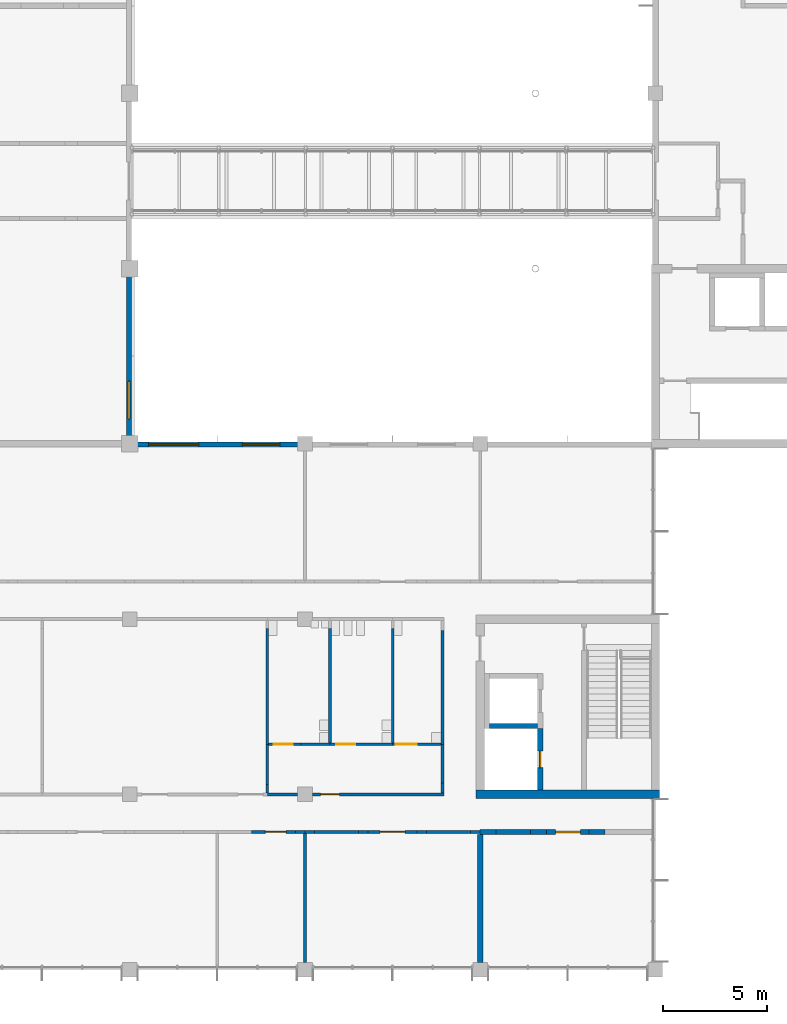
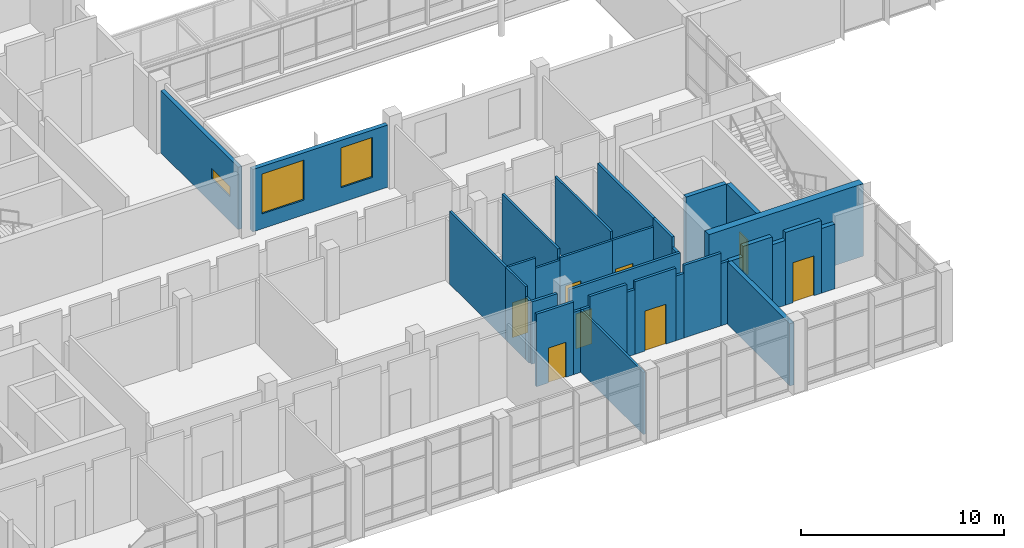
# One storey, part 33 of 70: 35 walls, 8 doors, 3 windows, 11 openings.
"""IFC4 building model written with IfcOpenShell, lengths in metres."""

import ifcopenshell
import ifcopenshell.guid

model = None  # the IFC model being written
_history = None  # IfcOwnerHistory: only IFC2X3 demands one
_inside = {}  # id of a spatial element -> (the spatial element, [elements in it])
_under = {}  # id of a project, library or spatial element -> (it, [spatial elements below it])
_declared = {}  # id of a project -> (the project, [libraries it declares])
_typed = {}  # id of a type object -> (the type object, [elements of that type])
_made_of = {}  # id of a material, layer set ... -> (it, [elements and type objects made of it])


def new_model(schema):
    """Start an empty IFC model of exactly this schema.

    Asked for "IFC4X3", IfcOpenShell would pick the latest addendum, in which some entities
    have other attributes; the version numbers below select the first issue.
    IFC2X3 requires an IfcOwnerHistory on every rooted entity: one is made here for all.
    """
    global model, _history
    if schema == "IFC4X3":
        model = ifcopenshell.file(schema_version=(4, 3, 0, 0))
    else:
        model = ifcopenshell.file(schema=schema)
    _inside.clear()
    _under.clear()
    _declared.clear()
    _typed.clear()
    _made_of.clear()
    _history = None
    if model.schema == "IFC2X3":
        org = make("IfcOrganization", Name="unknown")
        user = make(
            "IfcPersonAndOrganization",
            ThePerson=make("IfcPerson", FamilyName="unknown"),
            TheOrganization=org,
        )
        app = make(
            "IfcApplication",
            ApplicationDeveloper=org,
            Version="unknown",
            ApplicationFullName="unknown",
            ApplicationIdentifier="unknown",
        )
        _history = make(
            "IfcOwnerHistory",
            OwningUser=user,
            OwningApplication=app,
            ChangeAction="ADDED",
            CreationDate=0,
        )
    return model


def make(cls, **values):
    """One entity of the class cls with the attributes given. An attribute that is None is left unset."""
    return model.create_entity(
        cls, **{name: value for name, value in values.items() if value is not None}
    )


def rooted(cls, **values):
    """An entity with a GlobalId (a new one), such as an element, a storey or a relation."""
    return make(cls, GlobalId=ifcopenshell.guid.new(), OwnerHistory=_history, **values)


def si_unit(unit_type, name, prefix=None):
    """IfcSIUnit, for example si_unit("LENGTHUNIT", "METRE", prefix="MILLI")."""
    return make("IfcSIUnit", UnitType=unit_type, Prefix=prefix, Name=name)


def assignment(units):
    """IfcUnitAssignment: the units of a project."""
    return None if units is None else make("IfcUnitAssignment", Units=units)


def point(xyz):
    """IfcCartesianPoint."""
    return None if xyz is None else make("IfcCartesianPoint", Coordinates=xyz)


def direction(xyz):
    """IfcDirection."""
    return None if xyz is None else make("IfcDirection", DirectionRatios=xyz)


def frame(location, z_axis=None, x_axis=None):
    """IfcAxis2Placement3D, a coordinate frame: its origin and axes. An axis left out is left unset."""
    return make(
        "IfcAxis2Placement3D",
        Location=point(location),
        Axis=direction(z_axis),
        RefDirection=direction(x_axis),
    )


def frame_2d(location, x_axis=None):
    """IfcAxis2Placement2D, a coordinate frame in the plane: its origin and x axis."""
    return make(
        "IfcAxis2Placement2D", Location=point(location), RefDirection=direction(x_axis)
    )


def origin():
    """The frame at (0, 0, 0) with its axes left unset."""
    return frame((0.0, 0.0, 0.0))


def place(relative_to, where):
    """IfcLocalPlacement: puts the frame where relative to a parent placement (None: the world)."""
    return make(
        "IfcLocalPlacement", PlacementRelTo=relative_to, RelativePlacement=where
    )


def context(
    kind, dimensions, precision=None, world=None, true_north=None, identifier=None
):
    """IfcGeometricRepresentationContext, for example the 3D "Model" context."""
    return make(
        "IfcGeometricRepresentationContext",
        ContextIdentifier=identifier,
        ContextType=kind,
        CoordinateSpaceDimension=dimensions,
        Precision=precision,
        WorldCoordinateSystem=world,
        TrueNorth=true_north,
    )


def subcontext(parent, identifier, kind, view, scale=None):
    """IfcGeometricRepresentationSubContext, for example "Body" below "Model"."""
    return make(
        "IfcGeometricRepresentationSubContext",
        ContextIdentifier=identifier,
        ContextType=kind,
        ParentContext=parent,
        TargetScale=scale,
        TargetView=view,
    )


def project(units=None, contexts=None):
    """IfcProject with its units and contexts."""
    return rooted(
        "IfcProject",
        Name="project",
        RepresentationContexts=contexts,
        UnitsInContext=assignment(units),
    )


def spatial(cls, under=None, at=None, **own):
    """A site, building, storey or space (cls), placed at a placement, below another one or the project."""
    s = rooted(cls, ObjectPlacement=at, **own)
    if under is not None:
        _under.setdefault(under.id(), (under, []))[1].append(s)
    return s


def profile(cls, at=None, kind="AREA", **sizes):
    """A parametric profile (cls). Its sizes go by their IFC names, for example OverallWidth=200.0."""
    return make(cls, ProfileType=kind, Position=at, **sizes)


def rectangle(**sizes):
    """IfcRectangleProfileDef."""
    return profile("IfcRectangleProfileDef", **sizes)


def extrude(swept, where, along, depth):
    """IfcExtrudedAreaSolid: the profile swept, set in the frame where, extruded along a direction by depth."""
    return make(
        "IfcExtrudedAreaSolid",
        SweptArea=swept,
        Position=where,
        ExtrudedDirection=direction(along),
        Depth=depth,
    )


def shape(context_of_items, identifier, shape_type, items):
    """IfcShapeRepresentation: the items that make up one representation, for example the "Body"."""
    return make(
        "IfcShapeRepresentation",
        ContextOfItems=context_of_items,
        RepresentationIdentifier=identifier,
        RepresentationType=shape_type,
        Items=items,
    )


def material(Name=None, Category=None):
    """IfcMaterial."""
    return make("IfcMaterial", Name=Name, Category=Category)


def layer(
    of_material, thickness, ventilated=None, Name=None, Category=None, Priority=None
):
    """IfcMaterialLayer: one layer of a wall or slab, of a material (None: an air gap)."""
    return make(
        "IfcMaterialLayer",
        Material=of_material,
        LayerThickness=thickness,
        IsVentilated=ventilated,
        Name=Name,
        Category=Category,
        Priority=Priority,
    )


def layer_set(layers, Name=None):
    """IfcMaterialLayerSet."""
    return make("IfcMaterialLayerSet", MaterialLayers=layers, LayerSetName=Name)


def made_of(thing, what):
    """Note that an element or type object is made of a material, layer set ...; save() writes the relation."""
    if what is not None:
        _made_of.setdefault(what.id(), (what, []))[1].append(thing)
    return thing


def type_object(cls, material=None, **own):
    """A type object (cls), such as IfcWallType, which elements share."""
    return made_of(rooted(cls, **own), material)


def element(
    cls,
    number,
    at=None,
    inside=None,
    cuts=None,
    type_object=None,
    material=None,
    context=None,
    identifier="Body",
    shape_type=None,
    held_by="IfcProductDefinitionShape",
    body=None,
    shapes=None,
    **own,
):
    """One element of the class cls, such as IfcWall. Its Tag is "e" and its number.

    at: its placement. inside: the storey or other place that contains it. cuts: it is an
    opening in that element (IfcRelVoidsElement). A single representation is given by context,
    identifier, shape_type and body (its items); several are given by shapes. held_by: the class
    of the entity that holds the representations. save() writes the other relations.
    """
    e = rooted(cls, Tag="e%d" % number, ObjectPlacement=at, **own)
    if body is not None:
        shapes = [shape(context, identifier, shape_type, body)]
    if shapes is not None:
        e.Representation = make(held_by, Representations=shapes)
    if inside is not None:
        _inside.setdefault(inside.id(), (inside, []))[1].append(e)
    if cuts is not None:
        rooted(
            "IfcRelVoidsElement", RelatingBuildingElement=cuts, RelatedOpeningElement=e
        )
    if type_object is not None:
        _typed.setdefault(type_object.id(), (type_object, []))[1].append(e)
    return made_of(e, material)


def fill(opening, filler):
    """IfcRelFillsElement: the door or window that sits in an opening."""
    return rooted(
        "IfcRelFillsElement",
        RelatingOpeningElement=opening,
        RelatedBuildingElement=filler,
    )


def aggregate(whole, parts):
    """IfcRelAggregates: a whole, such as a stair, and the parts it consists of."""
    return rooted("IfcRelAggregates", RelatingObject=whole, RelatedObjects=parts)


def save(model, path):
    """Write the relations noted so far, then the file.

    IfcRelAggregates (storeys below a building ...), IfcRelContainedInSpatialStructure (elements
    in a storey), IfcRelDefinesByType, IfcRelAssociatesMaterial and IfcRelDeclares: one each for
    every whole, place, type object, material and project.
    """
    for whole, parts in _under.values():
        aggregate(whole, parts)
    for where, things in _inside.values():
        rooted(
            "IfcRelContainedInSpatialStructure",
            RelatedElements=things,
            RelatingStructure=where,
        )
    for kind, things in _typed.values():
        rooted("IfcRelDefinesByType", RelatedObjects=things, RelatingType=kind)
    for what, things in _made_of.values():
        rooted("IfcRelAssociatesMaterial", RelatedObjects=things, RelatingMaterial=what)
    for by, libraries in _declared.values():
        rooted("IfcRelDeclares", RelatingContext=by, RelatedDefinitions=libraries)
    model.write(path)


model = new_model("IFC4")

# Units and contexts
model_context = context("Model", 3, precision=1e-05, world=origin(), true_north=direction((0.0, 1.0)))
body_context = subcontext(model_context, "Body", "Model", "MODEL_VIEW")
ifc_project = project(units=[si_unit("LENGTHUNIT", "METRE"), si_unit("AREAUNIT", "SQUARE_METRE"), si_unit("VOLUMEUNIT", "CUBIC_METRE"), si_unit("PLANEANGLEUNIT", "RADIAN"), si_unit("MASSUNIT", "GRAM", prefix="KILO")], contexts=[model_context])

# Site, building, storey
site_placement = place(None, origin())
site = spatial("IfcSite", under=ifc_project, at=site_placement, CompositionType="ELEMENT")
building_placement = place(site_placement, origin())
building = spatial("IfcBuilding", under=site, at=building_placement, Name="Hlaing Beacon Police Headquarters", CompositionType="ELEMENT")
storey_placement = place(building_placement, frame((0.0, 0.0, 5.39990234375)))
storey = spatial("IfcBuildingStorey", under=building, at=storey_placement, Name="L01", CompositionType="ELEMENT", Elevation=5.39990234375)

# Walls
ifc_material_1 = material(Name="Concrete C60/75", Category="concrete")
ifc_layer_1 = layer(ifc_material_1, 0.39990234375)
ifc_layer_set_1 = layer_set([ifc_layer_1], Name="Concrete C60/75")
wall_type_1 = type_object("IfcWallType", Name="Core shear wall 400", PredefinedType="SHEAR", material=ifc_layer_set_1)
wall_1_placement = place(storey_placement, frame((50.199951171875, 16.800048828125, 0.0), z_axis=(0.0, 0.0, 1.0), x_axis=(1.0, 0.0, 0.0)))
element("IfcWall", 1, at=wall_1_placement, inside=storey, type_object=wall_type_1, Name="Core shear wall", PredefinedType="SHEAR", context=body_context, shape_type="SweptSolid", body=[
    extrude(rectangle(XDim=8.800048828125, YDim=0.39990234375, at=frame_2d((4.39990234375, 0.0))), origin(), (0.0, 0.0, 1.0), 4.3701171875),
])
ifc_material_2 = material(Name="Gypsum board partition")
ifc_layer_2 = layer(ifc_material_2, 0.14990234375)
ifc_layer_set_2 = layer_set([ifc_layer_2], Name="Gypsum board partition")
wall_type_2 = type_object("IfcWallType", Name="Corridor wall EI 30 150", PredefinedType="PARTITIONING", material=ifc_layer_set_2)
wall_2_placement = place(storey_placement, frame((48.60009765625, 19.199951171875, 0.0), z_axis=(0.0, 0.0, 1.0), x_axis=(0.0, 1.0, 0.0)))
element("IfcWall", 2, at=wall_2_placement, inside=storey, type_object=wall_type_2, Name="Corridor wall EI 30 150", PredefinedType="PARTITIONING", context=body_context, shape_type="SweptSolid", body=[
    extrude(rectangle(XDim=5.465087890625, YDim=0.14990234375, at=frame_2d((2.732421875, 0.0))), origin(), (0.0, 0.0, 1.0), 4.3701171875),
])
wall_3_placement = place(storey_placement, frame((40.199951171875, 16.800048828125, 0.0), z_axis=(0.0, 0.0, 1.0), x_axis=(1.0, 0.0, 0.0)))
element("IfcWall", 3, at=wall_3_placement, inside=storey, type_object=wall_type_2, Name="Corridor wall EI 30 150", PredefinedType="PARTITIONING", context=body_context, shape_type="SweptSolid", body=[
    extrude(rectangle(XDim=1.449951171875, YDim=0.14990234375, at=frame_2d((0.72509765625, 0.0))), origin(), (0.0, 0.0, 1.0), 3.74609375),
])

# Wall, opening, door
wall_4_placement = place(storey_placement, frame((42.35009765625, 16.800048828125, 0.0), z_axis=(0.0, 0.0, 1.0), x_axis=(1.0, 0.0, 0.0)))
wall_4 = element("IfcWall", 4, at=wall_4_placement, inside=storey, type_object=wall_type_2, Name="Corridor wall EI 30 150", PredefinedType="PARTITIONING", context=body_context, shape_type="SweptSolid", body=[
    extrude(rectangle(XDim=6.324951171875, YDim=0.14990234375, at=frame_2d((3.16259765625, 0.0))), origin(), (0.0, 0.0, 1.0), 3.74609375),
])
opening_1_placement = place(wall_4_placement, frame((0.39990234375, 0.0, 0.0)))
opening_1 = element("IfcOpeningElement", 5, at=opening_1_placement, cuts=wall_4, Name="Opening L01-035", PredefinedType="OPENING", context=body_context, shape_type="SweptSolid", body=[
    extrude(rectangle(XDim=0.89990234375, YDim=2.10009765625, at=frame_2d((0.449951171875, 1.050048828125))), frame((0.0, 0.0849609375, 0.0), z_axis=(0.0, -1.0, 0.0), x_axis=(1.0, 0.0, 0.0)), (0.0, 0.0, 1.0), 0.169921875),
])
ifc_material_3 = material(Name="Hardwood door leaf", Category="wood")
ifc_layer_3 = layer(ifc_material_3, 0.050048828125)
ifc_layer_set_3 = layer_set([ifc_layer_3], Name="Hardwood door leaf")
door_type_1 = type_object("IfcDoorType", Name="Fire door FD30S 900x2100", OperationType="SINGLE_SWING_LEFT", PredefinedType="DOOR", material=ifc_layer_set_3)
door_1_placement = place(opening_1_placement, origin())
door_1 = element("IfcDoor", 6, at=door_1_placement, inside=storey, type_object=door_type_1, Name="Door WC Lobby", OperationType="SINGLE_SWING_RIGHT", OverallHeight=2.10009765625, OverallWidth=0.89990234375, PredefinedType="DOOR", context=body_context, shape_type="SweptSolid", body=[
    extrude(rectangle(XDim=0.89990234375, YDim=2.10009765625, at=frame_2d((0.449951171875, 1.050048828125))), frame((0.0, 0.02490234375, 0.0), z_axis=(0.0, -1.0, 0.0), x_axis=(1.0, 0.0, 0.0)), (0.0, 0.0, 1.0), 0.050048828125),
])
fill(opening_1, door_1)

# Walls
wall_5_placement = place(storey_placement, frame((48.60009765625, 16.875, 0.0), z_axis=(0.0, 0.0, 1.0), x_axis=(0.0, 1.0, 0.0)))
element("IfcWall", 7, at=wall_5_placement, inside=storey, type_object=wall_type_2, Name="Corridor wall EI 30 150", PredefinedType="PARTITIONING", context=body_context, shape_type="SweptSolid", body=[
    extrude(rectangle(XDim=0.4599609375, YDim=0.14990234375, at=frame_2d((0.22998046875, 0.0))), origin(), (0.0, 0.0, 1.0), 3.74609375),
])
wall_6_placement = place(storey_placement, frame((48.60009765625, 17.3349609375, 0.0), z_axis=(0.0, 0.0, 1.0), x_axis=(0.0, 1.0, 0.0)))
element("IfcWall", 8, at=wall_6_placement, inside=storey, type_object=wall_type_2, Name="Corridor wall EI 30 150", PredefinedType="PARTITIONING", context=body_context, shape_type="SweptSolid", body=[
    extrude(rectangle(XDim=1.864990234375, YDim=0.14990234375, at=frame_2d((0.9326171875, 0.0))), origin(), (0.0, 0.0, 1.0), 4.3701171875),
])

# Wall, opening, door
wall_7_placement = place(storey_placement, frame((39.429931640625, 15.0, 0.0), z_axis=(0.0, 0.0, 1.0), x_axis=(1.0, 0.0, 0.0)))
wall_7 = element("IfcWall", 9, at=wall_7_placement, inside=storey, type_object=wall_type_2, Name="Corridor wall EI 30 150", PredefinedType="PARTITIONING", context=body_context, shape_type="SweptSolid", body=[
    extrude(rectangle(XDim=2.110107421875, YDim=0.14990234375, at=frame_2d((1.05517578125, 0.0))), origin(), (0.0, 0.0, 1.0), 4.3701171875),
])
opening_2_placement = place(wall_7_placement, frame((0.669921875, 0.0, 0.0)))
opening_2 = element("IfcOpeningElement", 10, at=opening_2_placement, cuts=wall_7, Name="Opening L01-045", PredefinedType="OPENING", context=body_context, shape_type="SweptSolid", body=[
    extrude(rectangle(XDim=1.0, YDim=2.10009765625, at=frame_2d((0.5, 1.050048828125))), frame((0.0, 0.0849609375, 0.0), z_axis=(0.0, -1.0, 0.0), x_axis=(1.0, 0.0, 0.0)), (0.0, 0.0, 1.0), 0.169921875),
])
ifc_material_4 = material(Name="Hardwood door leaf", Category="wood")
ifc_layer_4 = layer(ifc_material_4, 0.050048828125)
ifc_layer_set_4 = layer_set([ifc_layer_4], Name="Hardwood door leaf")
door_type_2 = type_object("IfcDoorType", Name="Fire door FD30S 1000x2100", OperationType="SINGLE_SWING_LEFT", PredefinedType="DOOR", material=ifc_layer_set_4)
door_2_placement = place(opening_2_placement, frame((1.0, 0.0, 0.0), z_axis=(0.0, 0.0, 1.0), x_axis=(-1.0, 0.0, 0.0)))
door_2 = element("IfcDoor", 11, at=door_2_placement, inside=storey, type_object=door_type_2, Name="Door Quiet Room", OperationType="SINGLE_SWING_RIGHT", OverallHeight=2.10009765625, OverallWidth=1.0, PredefinedType="DOOR", context=body_context, shape_type="SweptSolid", body=[
    extrude(rectangle(XDim=1.0, YDim=2.10009765625, at=frame_2d((0.5, 1.050048828125))), frame((0.0, 0.025146484375, 0.0), z_axis=(0.0, -1.0, 0.0), x_axis=(1.0, 0.0, 0.0)), (0.0, 0.0, 1.0), 0.050048828125),
])
fill(opening_2, door_2)

# Walls
for number, where, z_axis, x_axis, name in (
    (12, (41.5400390625, 15.0, 0.0), (0.0, 0.0, 1.0), (1.0, 0.0, 0.0), "Corridor wall EI 30 150"),
    (13, (42.0, 15.0, 0.0), (0.0, 0.0, 1.0), (1.0, 0.0, 0.0), "Corridor wall EI 30 150"),
):
    element("IfcWall", number, at=place(storey_placement, frame(where, z_axis=z_axis, x_axis=x_axis)), inside=storey, type_object=wall_type_2, Name=name, PredefinedType="PARTITIONING", context=body_context, shape_type="SweptSolid", body=[
        extrude(rectangle(XDim=0.4599609375, YDim=0.14990234375, at=frame_2d((0.22998046875, 0.0))), origin(), (0.0, 0.0, 1.0), 3.74609375),
    ])
wall_8_placement = place(storey_placement, frame((42.4599609375, 15.0, 0.0), z_axis=(0.0, 0.0, 1.0), x_axis=(1.0, 0.0, 0.0)))
element("IfcWall", 14, at=wall_8_placement, inside=storey, type_object=wall_type_2, Name="Corridor wall EI 30 150", PredefinedType="PARTITIONING", context=body_context, shape_type="SweptSolid", body=[
    extrude(rectangle(XDim=2.110107421875, YDim=0.14990234375, at=frame_2d((1.05517578125, 0.0))), origin(), (0.0, 0.0, 1.0), 4.3701171875),
])
wall_9_placement = place(storey_placement, frame((44.570068359375, 15.0, 0.0), z_axis=(0.0, 0.0, 1.0), x_axis=(1.0, 0.0, 0.0)))
element("IfcWall", 15, at=wall_9_placement, inside=storey, type_object=wall_type_2, Name="Corridor wall EI 30 150", PredefinedType="PARTITIONING", context=body_context, shape_type="SweptSolid", body=[
    extrude(rectangle(XDim=0.4599609375, YDim=0.14990234375, at=frame_2d((0.22998046875, 0.0))), origin(), (0.0, 0.0, 1.0), 3.89501953125),
])

# Wall, opening, door
wall_10_placement = place(storey_placement, frame((45.030029296875, 15.0, 0.0), z_axis=(0.0, 0.0, 1.0), x_axis=(1.0, 0.0, 0.0)))
wall_10 = element("IfcWall", 16, at=wall_10_placement, inside=storey, type_object=wall_type_2, Name="Corridor wall EI 30 150", PredefinedType="PARTITIONING", context=body_context, shape_type="SweptSolid", body=[
    extrude(rectangle(XDim=2.340087890625, YDim=0.14990234375, at=frame_2d((1.169921875, 0.0))), origin(), (0.0, 0.0, 1.0), 4.3701171875),
])
opening_3_placement = place(wall_10_placement, frame((0.570068359375, 0.0, 0.0)))
opening_3 = element("IfcOpeningElement", 17, at=opening_3_placement, cuts=wall_10, Name="Opening L01-046", PredefinedType="OPENING", context=body_context, shape_type="SweptSolid", body=[
    extrude(rectangle(XDim=1.199951171875, YDim=2.39990234375, at=frame_2d((0.60009765625, 1.199951171875))), frame((0.0, 0.0849609375, 0.0), z_axis=(0.0, -1.0, 0.0), x_axis=(1.0, 0.0, 0.0)), (0.0, 0.0, 1.0), 0.169921875),
])
ifc_material_5 = material(Name="Hardwood door leaf", Category="wood")
ifc_layer_5 = layer(ifc_material_5, 0.050048828125)
ifc_layer_set_5 = layer_set([ifc_layer_5], Name="Hardwood door leaf")
door_type_3 = type_object("IfcDoorType", Name="Fire public door FD30S 1200x2400", OperationType="SINGLE_SWING_LEFT", PredefinedType="DOOR", material=ifc_layer_set_5)
door_3_placement = place(opening_3_placement, frame((1.199951171875, 0.0, 0.0), z_axis=(0.0, 0.0, 1.0), x_axis=(-1.0, 0.0, 0.0)))
door_3 = element("IfcDoor", 18, at=door_3_placement, inside=storey, type_object=door_type_3, Name="Door Staff Welfare Room", OperationType="SINGLE_SWING_LEFT", OverallHeight=2.39990234375, OverallWidth=1.199951171875, PredefinedType="DOOR", context=body_context, shape_type="SweptSolid", body=[
    extrude(rectangle(XDim=1.199951171875, YDim=2.39990234375, at=frame_2d((0.599853515625, 1.199951171875))), frame((0.0, 0.025146484375, 0.0), z_axis=(0.0, -1.0, 0.0), x_axis=(1.0, 0.0, 0.0)), (0.0, 0.0, 1.0), 0.050048828125),
])
fill(opening_3, door_3)

# Walls
wall_11_placement = place(storey_placement, frame((47.3701171875, 15.0, 0.0), z_axis=(0.0, 0.0, 1.0), x_axis=(1.0, 0.0, 0.0)))
element("IfcWall", 19, at=wall_11_placement, inside=storey, type_object=wall_type_2, Name="Corridor wall EI 30 150", PredefinedType="PARTITIONING", context=body_context, shape_type="SweptSolid", body=[
    extrude(rectangle(XDim=0.4599609375, YDim=0.14990234375, at=frame_2d((0.22998046875, 0.0))), origin(), (0.0, 0.0, 1.0), 3.89501953125),
])
wall_12_placement = place(storey_placement, frame((47.830078125, 15.0, 0.0), z_axis=(0.0, 0.0, 1.0), x_axis=(1.0, 0.0, 0.0)))
element("IfcWall", 20, at=wall_12_placement, inside=storey, type_object=wall_type_2, Name="Corridor wall EI 30 150", PredefinedType="PARTITIONING", context=body_context, shape_type="SweptSolid", body=[
    extrude(rectangle(XDim=2.10986328125, YDim=0.14990234375, at=frame_2d((1.054931640625, 0.0))), origin(), (0.0, 0.0, 1.0), 4.3701171875),
])
wall_13_placement = place(storey_placement, frame((49.93994140625, 15.0, 0.0), z_axis=(0.0, 0.0, 1.0), x_axis=(1.0, 0.0, 0.0)))
element("IfcWall", 21, at=wall_13_placement, inside=storey, type_object=wall_type_2, Name="Corridor wall EI 30 150", PredefinedType="PARTITIONING", context=body_context, shape_type="SweptSolid", body=[
    extrude(rectangle(XDim=0.4599609375, YDim=0.14990234375, at=frame_2d((0.22998046875, 0.0))), origin(), (0.0, 0.0, 1.0), 3.74609375),
])
ifc_material_6 = material(Name="Gypsum board partition")
ifc_layer_6 = layer(ifc_material_6, 0.125)
ifc_layer_set_6 = layer_set([ifc_layer_6], Name="Gypsum board partition")
wall_type_3 = type_object("IfcWallType", Name="Partition 125", PredefinedType="PARTITIONING", material=ifc_layer_set_6)
wall_14_placement = place(storey_placement, frame((40.199951171875, 16.875, 0.0), z_axis=(0.0, 0.0, 1.0), x_axis=(0.0, 1.0, 0.0)))
element("IfcWall", 22, at=wall_14_placement, inside=storey, type_object=wall_type_3, Name="Partition 125", PredefinedType="PARTITIONING", context=body_context, shape_type="SweptSolid", body=[
    extrude(rectangle(XDim=0.385009765625, YDim=0.125, at=frame_2d((0.1923828125, 0.0))), origin(), (0.0, 0.0, 1.0), 3.74609375),
])
wall_15_placement = place(storey_placement, frame((40.199951171875, 17.260009765625, 0.0), z_axis=(0.0, 0.0, 1.0), x_axis=(0.0, 1.0, 0.0)))
element("IfcWall", 23, at=wall_15_placement, inside=storey, type_object=wall_type_3, Name="Partition 125", PredefinedType="PARTITIONING", context=body_context, shape_type="SweptSolid", body=[
    extrude(rectangle(XDim=1.93994140625, YDim=0.125, at=frame_2d((0.969970703125, 0.0))), origin(), (0.0, 0.0, 1.0), 4.3701171875),
])
wall_16_placement = place(storey_placement, frame((40.199951171875, 19.199951171875, 0.0), z_axis=(0.0, 0.0, 1.0), x_axis=(0.0, 1.0, 0.0)))
element("IfcWall", 24, at=wall_16_placement, inside=storey, type_object=wall_type_3, Name="Partition 125", PredefinedType="PARTITIONING", context=body_context, shape_type="SweptSolid", body=[
    extrude(rectangle(XDim=5.5400390625, YDim=0.125, at=frame_2d((2.77001953125, 0.0))), origin(), (0.0, 0.0, 1.0), 4.3701171875),
])
wall_17_placement = place(storey_placement, frame((46.199951171875, 19.261962890625, 0.0), z_axis=(0.0, 0.0, 1.0), x_axis=(0.0, 1.0, 0.0)))
element("IfcWall", 25, at=wall_17_placement, inside=storey, type_object=wall_type_3, Name="Partition 125", PredefinedType="PARTITIONING", context=body_context, shape_type="SweptSolid", body=[
    extrude(rectangle(XDim=5.47802734375, YDim=0.125, at=frame_2d((2.739013671875, 0.0))), origin(), (0.0, 0.0, 1.0), 4.3701171875),
])

# Wall, opening, door
wall_18_placement = place(storey_placement, frame((46.199951171875, 19.199951171875, 0.0), z_axis=(0.0, 0.0, 1.0), x_axis=(1.0, 0.0, 0.0)))
wall_18 = element("IfcWall", 26, at=wall_18_placement, inside=storey, type_object=wall_type_3, Name="Partition 125", PredefinedType="PARTITIONING", context=body_context, shape_type="SweptSolid", body=[
    extrude(rectangle(XDim=2.324951171875, YDim=0.125, at=frame_2d((1.16259765625, 0.0))), origin(), (0.0, 0.0, 1.0), 3.89501953125),
])
opening_4_placement = place(wall_18_placement, frame((0.14990234375, 0.0, 0.0)))
opening_4 = element("IfcOpeningElement", 27, at=opening_4_placement, cuts=wall_18, Name="Opening L01-033", PredefinedType="OPENING", context=body_context, shape_type="SweptSolid", body=[
    extrude(rectangle(XDim=1.0, YDim=2.10009765625, at=frame_2d((0.5, 1.050048828125))), frame((0.0, 0.072509765625, 0.0), z_axis=(0.0, -1.0, 0.0), x_axis=(1.0, 0.0, 0.0)), (0.0, 0.0, 1.0), 0.14501953125),
])
ifc_material_7 = material(Name="Hardwood door leaf", Category="wood")
ifc_layer_7 = layer(ifc_material_7, 0.0400390625)
ifc_layer_set_7 = layer_set([ifc_layer_7], Name="Hardwood door leaf")
door_type_4 = type_object("IfcDoorType", Name="Door 1000x2100", OperationType="SINGLE_SWING_LEFT", PredefinedType="DOOR", material=ifc_layer_set_7)
door_4_placement = place(opening_4_placement, origin())
door_4 = element("IfcDoor", 28, at=door_4_placement, inside=storey, type_object=door_type_4, Name="Door Accessible WC", OperationType="SINGLE_SWING_RIGHT", OverallHeight=2.10009765625, OverallWidth=1.0, PredefinedType="DOOR", context=body_context, shape_type="SweptSolid", body=[
    extrude(rectangle(XDim=1.0, YDim=2.10009765625, at=frame_2d((0.5, 1.050048828125))), frame((0.0, 0.02001953125, 0.0), z_axis=(0.0, -1.0, 0.0), x_axis=(1.0, 0.0, 0.0)), (0.0, 0.0, 1.0), 0.0400390625),
])
fill(opening_4, door_4)

wall_19_placement = place(storey_placement, frame((43.199951171875, 19.199951171875, 0.0), z_axis=(0.0, 0.0, 1.0), x_axis=(1.0, 0.0, 0.0)))
wall_19 = element("IfcWall", 29, at=wall_19_placement, inside=storey, type_object=wall_type_3, Name="Partition 125", PredefinedType="PARTITIONING", context=body_context, shape_type="SweptSolid", body=[
    extrude(rectangle(XDim=3.0, YDim=0.125, at=frame_2d((1.5, 0.0))), origin(), (0.0, 0.0, 1.0), 3.89501953125),
])
opening_5_placement = place(wall_19_placement, frame((0.300048828125, 0.0, 0.0)))
opening_5 = element("IfcOpeningElement", 30, at=opening_5_placement, cuts=wall_19, Name="Opening L01-034", PredefinedType="OPENING", context=body_context, shape_type="SweptSolid", body=[
    extrude(rectangle(XDim=0.89990234375, YDim=2.10009765625, at=frame_2d((0.449951171875, 1.050048828125))), frame((0.0, 0.072509765625, 0.0), z_axis=(0.0, -1.0, 0.0), x_axis=(1.0, 0.0, 0.0)), (0.0, 0.0, 1.0), 0.14501953125),
])
ifc_material_8 = material(Name="Hardwood door leaf", Category="wood")
ifc_layer_8 = layer(ifc_material_8, 0.0400390625)
ifc_layer_set_8 = layer_set([ifc_layer_8], Name="Hardwood door leaf")
door_type_5 = type_object("IfcDoorType", Name="Door 900x2100", OperationType="SINGLE_SWING_LEFT", PredefinedType="DOOR", material=ifc_layer_set_8)
door_5_placement = place(opening_5_placement, origin())
door_5 = element("IfcDoor", 31, at=door_5_placement, inside=storey, type_object=door_type_5, Name="Door Female WC", OperationType="SINGLE_SWING_RIGHT", OverallHeight=2.10009765625, OverallWidth=0.89990234375, PredefinedType="DOOR", context=body_context, shape_type="SweptSolid", body=[
    extrude(rectangle(XDim=0.89990234375, YDim=2.10009765625, at=frame_2d((0.449951171875, 1.050048828125))), frame((0.0, 0.02001953125, 0.0), z_axis=(0.0, -1.0, 0.0), x_axis=(1.0, 0.0, 0.0)), (0.0, 0.0, 1.0), 0.0400390625),
])
fill(opening_5, door_5)

# Wall
wall_20_placement = place(storey_placement, frame((43.199951171875, 19.261962890625, 0.0), z_axis=(0.0, 0.0, 1.0), x_axis=(0.0, 1.0, 0.0)))
element("IfcWall", 32, at=wall_20_placement, inside=storey, type_object=wall_type_3, Name="Partition 125", PredefinedType="PARTITIONING", context=body_context, shape_type="SweptSolid", body=[
    extrude(rectangle(XDim=5.47802734375, YDim=0.125, at=frame_2d((2.739013671875, 0.0))), origin(), (0.0, 0.0, 1.0), 4.3701171875),
])

# Wall, opening, door
wall_21_placement = place(storey_placement, frame((40.262939453125, 19.199951171875, 0.0), z_axis=(0.0, 0.0, 1.0), x_axis=(1.0, 0.0, 0.0)))
wall_21 = element("IfcWall", 33, at=wall_21_placement, inside=storey, type_object=wall_type_3, Name="Partition 125", PredefinedType="PARTITIONING", context=body_context, shape_type="SweptSolid", body=[
    extrude(rectangle(XDim=1.5439453125, YDim=0.125, at=frame_2d((0.77197265625, 0.0))), origin(), (0.0, 0.0, 1.0), 4.3701171875),
])
opening_6_placement = place(wall_21_placement, frame((0.25, 0.0, 0.0)))
opening_6 = element("IfcOpeningElement", 34, at=opening_6_placement, cuts=wall_21, Name="Opening L01-036", PredefinedType="OPENING", context=body_context, shape_type="SweptSolid", body=[
    extrude(rectangle(XDim=0.89990234375, YDim=2.10009765625, at=frame_2d((0.449951171875, 1.050048828125))), frame((0.0, 0.072509765625, 0.0), z_axis=(0.0, -1.0, 0.0), x_axis=(1.0, 0.0, 0.0)), (0.0, 0.0, 1.0), 0.14501953125),
])
door_6_placement = place(opening_6_placement, origin())
door_6 = element("IfcDoor", 35, at=door_6_placement, inside=storey, type_object=door_type_5, Name="Door Male WC", OperationType="SINGLE_SWING_RIGHT", OverallHeight=2.10009765625, OverallWidth=0.89990234375, PredefinedType="DOOR", context=body_context, shape_type="SweptSolid", body=[
    extrude(rectangle(XDim=0.89990234375, YDim=2.10009765625, at=frame_2d((0.449951171875, 1.050048828125))), frame((0.0, 0.02001953125, 0.0), z_axis=(0.0, -1.0, 0.0), x_axis=(1.0, 0.0, 0.0)), (0.0, 0.0, 1.0), 0.0400390625),
])
fill(opening_6, door_6)

# Walls
wall_22_placement = place(storey_placement, frame((41.806884765625, 19.199951171875, 0.0), z_axis=(0.0, 0.0, 1.0), x_axis=(1.0, 0.0, 0.0)))
element("IfcWall", 36, at=wall_22_placement, inside=storey, type_object=wall_type_3, Name="Partition 125", PredefinedType="PARTITIONING", context=body_context, shape_type="SweptSolid", body=[
    extrude(rectangle(XDim=1.39306640625, YDim=0.125, at=frame_2d((0.696533203125, 0.0))), origin(), (0.0, 0.0, 1.0), 3.74609375),
])
wall_23_placement = place(storey_placement, frame((42.0, 8.75, 0.0), z_axis=(0.0, 0.0, 1.0), x_axis=(0.0, 1.0, 0.0)))
element("IfcWall", 37, at=wall_23_placement, inside=storey, type_object=wall_type_3, Name="Partition 125", PredefinedType="PARTITIONING", context=body_context, shape_type="SweptSolid", body=[
    extrude(rectangle(XDim=6.175048828125, YDim=0.125, at=frame_2d((3.08740234375, 0.0))), origin(), (0.0, 0.0, 1.0), 3.74609375),
])
ifc_material_9 = material(Name="Concrete blockwork 7.5 N/mm2", Category="masonry")
ifc_layer_9 = layer(ifc_material_9, 0.25)
ifc_layer_set_9 = layer_set([ifc_layer_9], Name="Concrete blockwork 7.5 N/mm2")
wall_type_4 = type_object("IfcWallType", Name="Plant room wall EI 120 250", PredefinedType="PARTITIONING", material=ifc_layer_set_9)
wall_24_placement = place(storey_placement, frame((50.39990234375, 15.0, 0.0), z_axis=(0.0, 0.0, 1.0), x_axis=(1.0, 0.0, 0.0)))
element("IfcWall", 38, at=wall_24_placement, inside=storey, type_object=wall_type_4, Name="Plant room wall EI 120 250", PredefinedType="PARTITIONING", context=body_context, shape_type="SweptSolid", body=[
    extrude(rectangle(XDim=0.760009765625, YDim=0.25, at=frame_2d((0.3798828125, 0.0))), origin(), (0.0, 0.0, 1.0), 3.74609375),
])
wall_25_placement = place(storey_placement, frame((51.159912109375, 15.0, 0.0), z_axis=(0.0, 0.0, 1.0), x_axis=(1.0, 0.0, 0.0)))
element("IfcWall", 39, at=wall_25_placement, inside=storey, type_object=wall_type_4, Name="Plant room wall EI 120 250", PredefinedType="PARTITIONING", context=body_context, shape_type="SweptSolid", body=[
    extrude(rectangle(XDim=1.66015625, YDim=0.25, at=frame_2d((0.830078125, 0.0))), origin(), (0.0, 0.0, 1.0), 4.3701171875),
])
wall_26_placement = place(storey_placement, frame((52.820068359375, 15.0, 0.0), z_axis=(0.0, 0.0, 1.0), x_axis=(1.0, 0.0, 0.0)))
element("IfcWall", 40, at=wall_26_placement, inside=storey, type_object=wall_type_4, Name="Plant room wall EI 120 250", PredefinedType="PARTITIONING", context=body_context, shape_type="SweptSolid", body=[
    extrude(rectangle(XDim=0.760009765625, YDim=0.25, at=frame_2d((0.3798828125, 0.0))), origin(), (0.0, 0.0, 1.0), 3.89501953125),
])

# Wall, opening, door
wall_27_placement = place(storey_placement, frame((53.580078125, 15.0, 0.0), z_axis=(0.0, 0.0, 1.0), x_axis=(1.0, 0.0, 0.0)))
wall_27 = element("IfcWall", 41, at=wall_27_placement, inside=storey, type_object=wall_type_4, Name="Plant room wall EI 120 250", PredefinedType="PARTITIONING", context=body_context, shape_type="SweptSolid", body=[
    extrude(rectangle(XDim=2.0400390625, YDim=0.25, at=frame_2d((1.02001953125, 0.0))), origin(), (0.0, 0.0, 1.0), 4.3701171875),
])
opening_7_placement = place(wall_27_placement, frame((0.419921875, 0.0, 0.0)))
opening_7 = element("IfcOpeningElement", 42, at=opening_7_placement, cuts=wall_27, Name="Opening L01-041", PredefinedType="OPENING", context=body_context, shape_type="SweptSolid", body=[
    extrude(rectangle(XDim=1.199951171875, YDim=2.39990234375, at=frame_2d((0.60009765625, 1.199951171875))), frame((0.0, 0.135009765625, 0.0), z_axis=(0.0, -1.0, 0.0), x_axis=(1.0, 0.0, 0.0)), (0.0, 0.0, 1.0), 0.27001953125),
])
ifc_material_10 = material(Name="Steel fire door leaf", Category="steel")
ifc_layer_10 = layer(ifc_material_10, 0.10009765625)
ifc_layer_set_10 = layer_set([ifc_layer_10], Name="Steel fire door leaf")
door_type_6 = type_object("IfcDoorType", Name="Steel plant door FD120 1200x2400", OperationType="SINGLE_SWING_LEFT", PredefinedType="DOOR", material=ifc_layer_set_10)
door_7_placement = place(opening_7_placement, frame((1.199951171875, 0.0, 0.0), z_axis=(0.0, 0.0, 1.0), x_axis=(-1.0, 0.0, 0.0)))
door_7 = element("IfcDoor", 43, at=door_7_placement, inside=storey, type_object=door_type_6, Name="Door Public Front Plant Room", OperationType="SINGLE_SWING_RIGHT", OverallHeight=2.39990234375, OverallWidth=1.199951171875, PredefinedType="DOOR", context=body_context, shape_type="SweptSolid", body=[
    extrude(rectangle(XDim=1.199951171875, YDim=2.39990234375, at=frame_2d((0.599853515625, 1.199951171875))), frame((0.0, 0.050048828125, 0.0), z_axis=(0.0, -1.0, 0.0), x_axis=(1.0, 0.0, 0.0)), (0.0, 0.0, 1.0), 0.10009765625),
])
fill(opening_7, door_7)

# Walls
wall_28_placement = place(storey_placement, frame((55.6201171875, 15.0, 0.0), z_axis=(0.0, 0.0, 1.0), x_axis=(1.0, 0.0, 0.0)))
element("IfcWall", 44, at=wall_28_placement, inside=storey, type_object=wall_type_4, Name="Plant room wall EI 120 250", PredefinedType="PARTITIONING", context=body_context, shape_type="SweptSolid", body=[
    extrude(rectangle(XDim=0.759765625, YDim=0.25, at=frame_2d((0.3798828125, 0.0))), origin(), (0.0, 0.0, 1.0), 3.89501953125),
])
wall_29_placement = place(storey_placement, frame((50.39990234375, 8.75, 0.0), z_axis=(0.0, 0.0, 1.0), x_axis=(0.0, 1.0, 0.0)))
element("IfcWall", 45, at=wall_29_placement, inside=storey, type_object=wall_type_4, Name="Plant room wall EI 120 250", PredefinedType="PARTITIONING", context=body_context, shape_type="SweptSolid", body=[
    extrude(rectangle(XDim=6.125, YDim=0.25, at=frame_2d((3.0625, 0.0))), origin(), (0.0, 0.0, 1.0), 3.74609375),
])

# Wall, openings, windows
ifc_material_11 = material(Name="Concrete C40/50 precast ribbed cladding", Category="concrete")
ifc_layer_11 = layer(ifc_material_11, 0.25)
ifc_layer_set_11 = layer_set([ifc_layer_11], Name="Concrete C40/50 precast ribbed cladding")
wall_type_5 = type_object("IfcWallType", Name="Precast ribbed wall 250", PredefinedType="SOLIDWALL", material=ifc_layer_set_11)
wall_30_placement = place(storey_placement, frame((41.669921875, 33.574951171875, 0.0), z_axis=(0.0, 0.0, 1.0), x_axis=(-1.0, 0.0, 0.0)))
wall_30 = element("IfcWall", 46, at=wall_30_placement, inside=storey, type_object=wall_type_5, Name="External wall L01 N015", PredefinedType="SOLIDWALL", context=body_context, shape_type="SweptSolid", body=[
    extrude(rectangle(XDim=7.68994140625, YDim=0.25, at=frame_2d((3.844970703125, 0.0))), origin(), (0.0, 0.0, 1.0), 3.74609375),
])
opening_8_placement = place(wall_30_placement, frame((0.8701171875, 0.0, 0.89990234375)))
opening_8 = element("IfcOpeningElement", 47, at=opening_8_placement, cuts=wall_30, Name="Opening WN17", PredefinedType="OPENING", context=body_context, shape_type="SweptSolid", body=[
    extrude(rectangle(XDim=1.800048828125, YDim=2.39990234375, at=frame_2d((0.89990234375, 1.199951171875))), frame((0.0, 0.135009765625, 0.0), z_axis=(0.0, -1.0, 0.0), x_axis=(1.0, 0.0, 0.0)), (0.0, 0.0, 1.0), 0.27001953125),
])
opening_9_placement = place(wall_30_placement, frame((4.77001953125, 0.0, 0.89990234375)))
opening_9 = element("IfcOpeningElement", 48, at=opening_9_placement, cuts=wall_30, Name="Opening WN18", PredefinedType="OPENING", context=body_context, shape_type="SweptSolid", body=[
    extrude(rectangle(XDim=2.39990234375, YDim=2.39990234375, at=frame_2d((1.199951171875, 1.199951171875))), frame((0.0, 0.135009765625, 0.0), z_axis=(0.0, -1.0, 0.0), x_axis=(1.0, 0.0, 0.0)), (0.0, 0.0, 1.0), 0.27001953125),
])
ifc_material_12 = material(Name="Aluminium frame with solar control glazing", Category="aluminium")
window_type_1 = type_object("IfcWindowType", Name="Wide window 1800x2400 frame 60", PartitioningType="SINGLE_PANEL", PredefinedType="WINDOW", material=ifc_material_12)
window_1_placement = place(opening_8_placement, origin())
window_1 = element("IfcWindow", 49, at=window_1_placement, inside=storey, type_object=window_type_1, Name="Window L01 WM", OverallHeight=2.39990234375, OverallWidth=1.800048828125, PartitioningType="SINGLE_PANEL", PredefinedType="WINDOW", context=body_context, shape_type="SweptSolid", body=[
    extrude(rectangle(XDim=1.800048828125, YDim=2.39990234375, at=frame_2d((0.89990234375, 1.199951171875))), frame((0.0, 0.030029296875, 0.0), z_axis=(0.0, -1.0, 0.0), x_axis=(1.0, 0.0, 0.0)), (0.0, 0.0, 1.0), 0.06005859375),
])
fill(opening_8, window_1)
ifc_material_13 = material(Name="Aluminium frame with solar control glazing", Category="aluminium")
window_type_2 = type_object("IfcWindowType", Name="Window 2400x2400 frame 60", PartitioningType="SINGLE_PANEL", PredefinedType="WINDOW", material=ifc_material_13)
window_2_placement = place(opening_9_placement, origin())
window_2 = element("IfcWindow", 50, at=window_2_placement, inside=storey, type_object=window_type_2, Name="Window L01 WA", OverallHeight=2.39990234375, OverallWidth=2.39990234375, PartitioningType="SINGLE_PANEL", PredefinedType="WINDOW", context=body_context, shape_type="SweptSolid", body=[
    extrude(rectangle(XDim=2.39990234375, YDim=2.39990234375, at=frame_2d((1.199951171875, 1.199951171875))), frame((0.0, 0.030029296875, 0.0), z_axis=(0.0, -1.0, 0.0), x_axis=(1.0, 0.0, 0.0)), (0.0, 0.0, 1.0), 0.06005859375),
])
fill(opening_9, window_2)

# Wall, opening, window
ifc_material_14 = material(Name="Fibre cement ribbed cladding on insulated frame")
ifc_layer_12 = layer(ifc_material_14, 0.22509765625)
ifc_layer_set_12 = layer_set([ifc_layer_12], Name="Fibre cement ribbed cladding on insulated frame")
wall_type_6 = type_object("IfcWallType", Name="Ribbed fibre-cement clad wall 225", PredefinedType="SOLIDWALL", material=ifc_layer_set_12)
wall_31_placement = place(storey_placement, frame((33.5625, 33.97998046875, 0.0), z_axis=(0.0, 0.0, 1.0), x_axis=(0.0, 1.0, 0.0)))
wall_31 = element("IfcWall", 51, at=wall_31_placement, inside=storey, type_object=wall_type_6, Name="External wall L01 E016", PredefinedType="SOLIDWALL", context=body_context, shape_type="SweptSolid", body=[
    extrude(rectangle(XDim=7.64013671875, YDim=0.22509765625, at=frame_2d((3.820068359375, 0.0))), origin(), (0.0, 0.0, 1.0), 3.74609375),
])
opening_10_placement = place(wall_31_placement, frame((0.820068359375, 0.0, 1.5)))
opening_10 = element("IfcOpeningElement", 52, at=opening_10_placement, cuts=wall_31, Name="Opening WN14", PredefinedType="OPENING", context=body_context, shape_type="SweptSolid", body=[
    extrude(rectangle(XDim=1.800048828125, YDim=0.60009765625, at=frame_2d((0.89990234375, 0.300048828125))), frame((0.0, 0.12255859375, 0.0), z_axis=(0.0, -1.0, 0.0), x_axis=(1.0, 0.0, 0.0)), (0.0, 0.0, 1.0), 0.2451171875),
])
ifc_material_15 = material(Name="Aluminium frame with solar control glazing", Category="aluminium")
window_type_3 = type_object("IfcWindowType", Name="Strip window 1800x600 frame 80", PartitioningType="SINGLE_PANEL", PredefinedType="WINDOW", material=ifc_material_15)
window_3_placement = place(opening_10_placement, origin())
window_3 = element("IfcWindow", 53, at=window_3_placement, inside=storey, type_object=window_type_3, Name="Window L01 WJ", OverallHeight=0.60009765625, OverallWidth=1.800048828125, PartitioningType="SINGLE_PANEL", PredefinedType="WINDOW", context=body_context, shape_type="SweptSolid", body=[
    extrude(rectangle(XDim=1.800048828125, YDim=0.60009765625, at=frame_2d((0.89990234375, 0.300048828125))), frame((0.0, 0.0400390625, 0.0), z_axis=(0.0, -1.0, 0.0), x_axis=(1.0, 0.0, 0.0)), (0.0, 0.0, 1.0), 0.080078125),
])
fill(opening_10, window_3)

# Wall, opening, door
ifc_material_16 = material(Name="Concrete C40/50", Category="concrete")
ifc_layer_13 = layer(ifc_material_16, 0.25)
ifc_layer_set_13 = layer_set([ifc_layer_13], Name="Concrete C40/50")
wall_type_7 = type_object("IfcWallType", Name="Shaft wall 250", PredefinedType="SOLIDWALL", material=ifc_layer_set_13)
wall_32_placement = place(storey_placement, frame((53.27490234375, 19.949951171875, 0.0), z_axis=(0.0, 0.0, 1.0), x_axis=(0.0, -1.0, 0.0)))
wall_32 = element("IfcWall", 54, at=wall_32_placement, inside=storey, type_object=wall_type_7, Name="Lobby wall", PredefinedType="SOLIDWALL", context=body_context, shape_type="SweptSolid", body=[
    extrude(rectangle(XDim=2.949951171875, YDim=0.25, at=frame_2d((1.47509765625, 0.0))), origin(), (0.0, 0.0, 1.0), 4.3701171875),
])
opening_11_placement = place(wall_32_placement, frame((1.074951171875, 0.0, 0.0)))
opening_11 = element("IfcOpeningElement", 55, at=opening_11_placement, cuts=wall_32, Name="Opening L01-933", PredefinedType="OPENING", context=body_context, shape_type="SweptSolid", body=[
    extrude(rectangle(XDim=0.800048828125, YDim=2.10009765625, at=frame_2d((0.39990234375, 1.050048828125))), frame((0.0, 0.135009765625, 0.0), z_axis=(0.0, -1.0, 0.0), x_axis=(1.0, 0.0, 0.0)), (0.0, 0.0, 1.0), 0.27001953125),
])
ifc_material_17 = material(Name="Steel fire door leaf", Category="steel")
ifc_layer_14 = layer(ifc_material_17, 0.070068359375)
ifc_layer_set_14 = layer_set([ifc_layer_14], Name="Steel fire door leaf")
door_type_7 = type_object("IfcDoorType", Name="Steel fire door FD60 800x2100", OperationType="SINGLE_SWING_LEFT", PredefinedType="DOOR", material=ifc_layer_set_14)
door_8_placement = place(opening_11_placement, frame((0.800048828125, 0.0, 0.0), z_axis=(0.0, 0.0, 1.0), x_axis=(-1.0, 0.0, 0.0)))
door_8 = element("IfcDoor", 56, at=door_8_placement, inside=storey, type_object=door_type_7, Name="Door Services Riser", OperationType="SINGLE_SWING_RIGHT", OverallHeight=2.10009765625, OverallWidth=0.800048828125, PredefinedType="DOOR", context=body_context, shape_type="SweptSolid", body=[
    extrude(rectangle(XDim=0.800048828125, YDim=2.10009765625, at=frame_2d((0.400146484375, 1.050048828125))), frame((0.0, 0.034912109375, 0.0), z_axis=(0.0, -1.0, 0.0), x_axis=(1.0, 0.0, 0.0)), (0.0, 0.0, 1.0), 0.070068359375),
])
fill(opening_11, door_8)

# Wall
wall_33_placement = place(storey_placement, frame((50.85009765625, 20.074951171875, 0.0), z_axis=(0.0, 0.0, 1.0), x_axis=(1.0, 0.0, 0.0)))
element("IfcWall", 57, at=wall_33_placement, inside=storey, type_object=wall_type_7, Name="Lift shaft wall PL6", PredefinedType="SOLIDWALL", context=body_context, shape_type="SweptSolid", body=[
    extrude(rectangle(XDim=2.2998046875, YDim=0.25, at=frame_2d((1.14990234375, 0.0))), origin(), (0.0, 0.0, 1.0), 4.3701171875),
])

save(model, "model.ifc")
